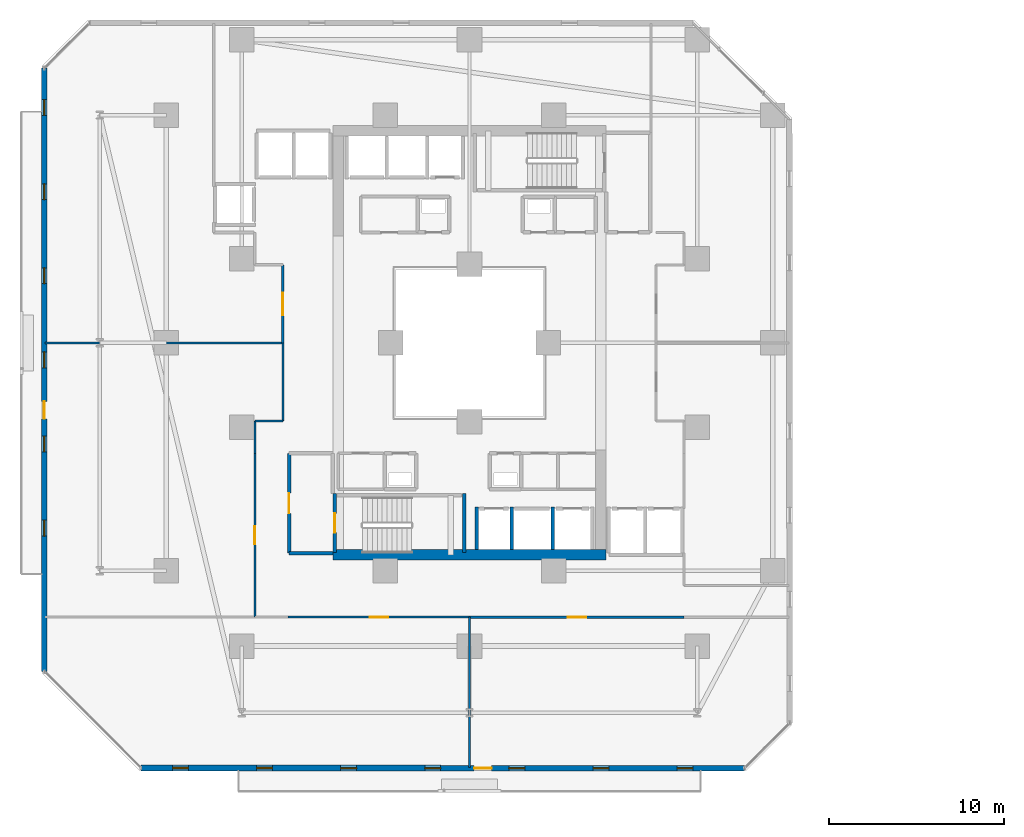
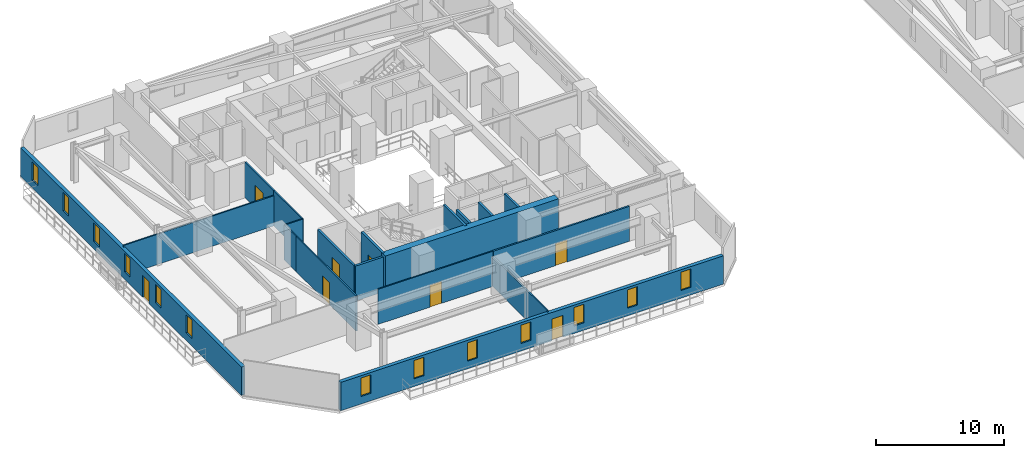
# One storey, part 18 of 33: 19 walls, 13 windows, 8 doors, 21 openings.
"""IFC4 building model written with IfcOpenShell, lengths in metres."""

from ifc_helpers import new_model, si_unit, direction, frame, frame_2d, origin, place, context, subcontext, project, spatial, rectangle, extrude, material, layer, layer_set, type_object, element, fill, save


model = new_model("IFC4")

# Units and contexts
model_context = context("Model", 3, precision=1e-05, world=origin(), true_north=direction((0.0, 1.0)))
body_context = subcontext(model_context, "Body", "Model", "MODEL_VIEW")
ifc_project = project(units=[si_unit("LENGTHUNIT", "METRE"), si_unit("AREAUNIT", "SQUARE_METRE"), si_unit("VOLUMEUNIT", "CUBIC_METRE"), si_unit("PLANEANGLEUNIT", "RADIAN"), si_unit("MASSUNIT", "GRAM", prefix="KILO")], contexts=[model_context])

# Site, building, storey
site_placement = place(None, origin())
site = spatial("IfcSite", under=ifc_project, at=site_placement, CompositionType="ELEMENT")
building_placement = place(site_placement, origin())
building = spatial("IfcBuilding", under=site, at=building_placement, Name="Thornwick Lancets Civic Towers", CompositionType="ELEMENT")
storey_placement = place(building_placement, frame((0.0, 0.0, 35.10009765625)))
storey = spatial("IfcBuildingStorey", under=building, at=storey_placement, Name="L08", CompositionType="ELEMENT", Elevation=35.10009765625)

# Walls
ifc_material_1 = material(Name="Concrete blockwork C40/50", Category="masonry")
ifc_layer_1 = layer(ifc_material_1, 0.199951171875, Name="Concrete blockwork C40/50")
ifc_layer_set_1 = layer_set([ifc_layer_1], Name="Concrete blockwork C40/50")
wall_type_1 = type_object("IfcWallType", Name="WALL_COMP_200", PredefinedType="STANDARD", material=ifc_layer_set_1)
for number, where, z_axis, x_axis, name in (
    (1, (27.89990234375, 15.2119140625, 0.0), (0.0, 0.0, 1.0), (0.0, 1.0, 0.0), "L08 Hoistway Shaft Wall FL-A1 E"),
    (2, (25.89990234375, 15.2119140625, 0.0), (0.0, 0.0, 1.0), (0.0, 1.0, 0.0), "L08 Hoistway Shaft Wall FL-A1 W"),
    (3, (30.25, 15.2119140625, 0.0), (0.0, 0.0, 1.0), (0.0, 1.0, 0.0), "L08 Hoistway Shaft Wall PL-AH1 E"),
):
    element("IfcWall", number, at=place(storey_placement, frame(where, z_axis=z_axis, x_axis=x_axis)), inside=storey, type_object=wall_type_1, Name=name, PredefinedType="STANDARD", context=body_context, shape_type="SweptSolid", body=[
        extrude(rectangle(XDim=2.43603515625, YDim=0.199951171875, at=frame_2d((1.218017578125, 0.0))), origin(), (0.0, 0.0, 1.0), 3.33984375),
    ])
wall_1_placement = place(storey_placement, frame((15.199951171875, 15.0, 0.0), z_axis=(0.0, 0.0, 1.0), x_axis=(1.0, 0.0, 0.0)))
element("IfcWall", 4, at=wall_1_placement, inside=storey, type_object=wall_type_1, Name="L08 Partition L08-A-FFLOB1 E1", PredefinedType="STANDARD", context=body_context, shape_type="SweptSolid", body=[
    extrude(rectangle(XDim=2.5, YDim=0.199951171875, at=frame_2d((1.25, 0.0))), origin(), (0.0, 0.0, 1.0), 3.33984375),
])

# Wall, opening, door
wall_2_placement = place(storey_placement, frame((15.199951171875, 20.699951171875, 0.0), z_axis=(0.0, 0.0, 1.0), x_axis=(0.0, -1.0, 0.0)))
wall_2 = element("IfcWall", 5, at=wall_2_placement, inside=storey, type_object=wall_type_1, Name="L08 Partition L08-A-FFLOB1 E4", PredefinedType="STANDARD", context=body_context, shape_type="SweptSolid", body=[
    extrude(rectangle(XDim=5.699951171875, YDim=0.199951171875, at=frame_2d((2.85009765625, 0.0))), origin(), (0.0, 0.0, 1.0), 3.33984375),
])
opening_1_placement = place(wall_2_placement, frame((2.27490234375, 0.0, 0.0)))
opening_1 = element("IfcOpeningElement", 6, at=opening_1_placement, cuts=wall_2, Name="Opening D-L08-0401", PredefinedType="OPENING", context=body_context, shape_type="SweptSolid", body=[
    extrude(rectangle(XDim=1.14990234375, YDim=2.10009765625, at=frame_2d((0.574951171875, 1.050048828125))), frame((0.0, 0.10986328125, 0.0), z_axis=(0.0, -1.0, 0.0), x_axis=(1.0, 0.0, 0.0)), (0.0, 0.0, 1.0), 0.219970703125),
])
ifc_material_2 = material(Name="Glazed fire-resisting steel", Category="steel")
door_type_1 = type_object("IfcDoorType", Name="DOOR_LOBBY_FD60", OperationType="NOTDEFINED", PredefinedType="DOOR", material=ifc_material_2)
door_1_placement = place(opening_1_placement, origin())
door_1 = element("IfcDoor", 7, at=door_1_placement, inside=storey, type_object=door_type_1, Name="L08 South Firefighting Lobby 1 Door", OperationType="SINGLE_SWING_RIGHT", OverallHeight=2.10009765625, OverallWidth=1.14990234375, PredefinedType="DOOR", context=body_context, shape_type="SweptSolid", body=[
    extrude(rectangle(XDim=1.14990234375, YDim=2.10009765625, at=frame_2d((0.574951171875, 1.050048828125))), frame((0.0, 0.02490234375, 0.0), z_axis=(0.0, -1.0, 0.0), x_axis=(1.0, 0.0, 0.0)), (0.0, 0.0, 1.0), 0.050048828125),
])
fill(opening_1, door_1)

# Wall
ifc_material_3 = material(Name="Concrete C60/75", Category="concrete")
ifc_layer_2 = layer(ifc_material_3, 0.60009765625, Name="Concrete C60/75")
ifc_layer_set_2 = layer_set([ifc_layer_2], Name="Concrete C60/75")
wall_type_2 = type_object("IfcWallType", Name="WALL_CORE_600", PredefinedType="SHEAR", material=ifc_layer_set_2)
wall_3_placement = place(storey_placement, frame((17.699951171875, 14.89990234375, 0.0), z_axis=(0.0, 0.0, 1.0), x_axis=(1.0, 0.0, 0.0)))
element("IfcWall", 8, at=wall_3_placement, inside=storey, type_object=wall_type_2, Name="L08 Split Core A1 Shear Wall S", PredefinedType="SHEAR", context=body_context, shape_type="SweptSolid", body=[
    extrude(rectangle(XDim=15.60009765625, YDim=0.60009765625, at=frame_2d((7.800048828125, 0.0))), origin(), (0.0, 0.0, 1.0), 3.599853515625),
])

# Wall, openings, door, windows
ifc_material_4 = material(Name="Insulated buff terracotta rainscreen on concrete C40/50", Category="masonry")
ifc_layer_3 = layer(ifc_material_4, 0.320068359375, Name="Insulated buff terracotta rainscreen on concrete C40/50")
ifc_layer_set_3 = layer_set([ifc_layer_3], Name="Insulated buff terracotta rainscreen on concrete C40/50")
wall_type_3 = type_object("IfcWallType", Name="WALL_EXT_TERRA_320", PredefinedType="STANDARD", material=ifc_layer_set_3)
wall_4_placement = place(storey_placement, frame((6.752197265625, 2.74462890625, 0.0), z_axis=(0.0, 0.0, 1.0), x_axis=(0.999999961759, -0.000276554545, 0.0)))
wall_4 = element("IfcWall", 9, at=wall_4_placement, inside=storey, type_object=wall_type_3, Name="L08 Tower A Terracotta Facade Wall E0", PredefinedType="STANDARD", context=body_context, shape_type="SweptSolid", body=[
    extrude(rectangle(XDim=34.428955078125, YDim=0.320068359375, at=frame_2d((17.21435546875, 0.0))), origin(), (0.0, 0.0, 1.0), 2.699951171875),
])
opening_2_placement = place(wall_4_placement, frame((19.014404296875, 0.0, 0.0)))
opening_2 = element("IfcOpeningElement", 10, at=opening_2_placement, cuts=wall_4, Name="Opening D-BL-L08-AS", PredefinedType="OPENING", context=body_context, shape_type="SweptSolid", body=[
    extrude(rectangle(XDim=1.0, YDim=2.080078125, at=frame_2d((0.5, 1.0400390625))), frame((0.0, 0.169921875, 0.0), z_axis=(0.0, -1.0, 0.0), x_axis=(1.0, 0.0, 0.0)), (0.0, 0.0, 1.0), 0.340087890625),
])
opening_3_placement = place(wall_4_placement, frame((1.800048828125, 0.0, 0.719970703125)))
opening_3 = element("IfcOpeningElement", 11, at=opening_3_placement, cuts=wall_4, Name="Opening WL-01", PredefinedType="OPENING", context=body_context, shape_type="SweptSolid", body=[
    extrude(rectangle(XDim=0.89990234375, YDim=1.75, at=frame_2d((0.449951171875, 0.875))), frame((0.0, 0.169921875, 0.0), z_axis=(0.0, -1.0, 0.0), x_axis=(1.0, 0.0, 0.0)), (0.0, 0.0, 1.0), 0.340087890625),
])
opening_4_placement = place(wall_4_placement, frame((6.60009765625, 0.0, 0.719970703125)))
opening_4 = element("IfcOpeningElement", 12, at=opening_4_placement, cuts=wall_4, Name="Opening WL-01", PredefinedType="OPENING", context=body_context, shape_type="SweptSolid", body=[
    extrude(rectangle(XDim=0.89990234375, YDim=1.75, at=frame_2d((0.449951171875, 0.875))), frame((0.0, 0.169921875, 0.0), z_axis=(0.0, -1.0, 0.0), x_axis=(1.0, 0.0, 0.0)), (0.0, 0.0, 1.0), 0.340087890625),
])
opening_5_placement = place(wall_4_placement, frame((11.39990234375, 0.0, 0.719970703125)))
opening_5 = element("IfcOpeningElement", 13, at=opening_5_placement, cuts=wall_4, Name="Opening WL-01", PredefinedType="OPENING", context=body_context, shape_type="SweptSolid", body=[
    extrude(rectangle(XDim=0.89990234375, YDim=1.75, at=frame_2d((0.449951171875, 0.875))), frame((0.0, 0.169921875, 0.0), z_axis=(0.0, -1.0, 0.0), x_axis=(1.0, 0.0, 0.0)), (0.0, 0.0, 1.0), 0.340087890625),
])
opening_6_placement = place(wall_4_placement, frame((16.199951171875, 0.0, 0.719970703125)))
opening_6 = element("IfcOpeningElement", 14, at=opening_6_placement, cuts=wall_4, Name="Opening WL-01", PredefinedType="OPENING", context=body_context, shape_type="SweptSolid", body=[
    extrude(rectangle(XDim=0.89990234375, YDim=1.75, at=frame_2d((0.449951171875, 0.875))), frame((0.0, 0.169921875, 0.0), z_axis=(0.0, -1.0, 0.0), x_axis=(1.0, 0.0, 0.0)), (0.0, 0.0, 1.0), 0.340087890625),
])
opening_7_placement = place(wall_4_placement, frame((21.0, 0.0, 0.719970703125)))
opening_7 = element("IfcOpeningElement", 15, at=opening_7_placement, cuts=wall_4, Name="Opening WL-01", PredefinedType="OPENING", context=body_context, shape_type="SweptSolid", body=[
    extrude(rectangle(XDim=0.89990234375, YDim=1.75, at=frame_2d((0.449951171875, 0.875))), frame((0.0, 0.169921875, 0.0), z_axis=(0.0, -1.0, 0.0), x_axis=(1.0, 0.0, 0.0)), (0.0, 0.0, 1.0), 0.340087890625),
])
opening_8_placement = place(wall_4_placement, frame((25.800048828125, 0.0, 0.719970703125)))
opening_8 = element("IfcOpeningElement", 16, at=opening_8_placement, cuts=wall_4, Name="Opening WL-01", PredefinedType="OPENING", context=body_context, shape_type="SweptSolid", body=[
    extrude(rectangle(XDim=0.89990234375, YDim=1.75, at=frame_2d((0.449951171875, 0.875))), frame((0.0, 0.169921875, 0.0), z_axis=(0.0, -1.0, 0.0), x_axis=(1.0, 0.0, 0.0)), (0.0, 0.0, 1.0), 0.340087890625),
])
opening_9_placement = place(wall_4_placement, frame((30.60009765625, 0.0, 0.719970703125)))
opening_9 = element("IfcOpeningElement", 17, at=opening_9_placement, cuts=wall_4, Name="Opening WL-01", PredefinedType="OPENING", context=body_context, shape_type="SweptSolid", body=[
    extrude(rectangle(XDim=0.89990234375, YDim=1.75, at=frame_2d((0.449951171875, 0.875))), frame((0.0, 0.169921875, 0.0), z_axis=(0.0, -1.0, 0.0), x_axis=(1.0, 0.0, 0.0)), (0.0, 0.0, 1.0), 0.340087890625),
])
ifc_material_5 = material(Name="Thermally broken glazed loggia doorset")
door_type_2 = type_object("IfcDoorType", Name="DOOR_BALC_1000", OperationType="NOTDEFINED", PredefinedType="DOOR", material=ifc_material_5)
door_2_placement = place(opening_2_placement, origin())
door_2 = element("IfcDoor", 18, at=door_2_placement, inside=storey, type_object=door_type_2, Name="L08 Tower A Loggia Balcony Door S", OperationType="SINGLE_SWING_LEFT", OverallHeight=2.080078125, OverallWidth=1.0, PredefinedType="DOOR", context=body_context, shape_type="SweptSolid", body=[
    extrude(rectangle(XDim=1.0, YDim=2.080078125, at=frame_2d((0.5, 1.0400390625))), frame((0.0, 0.02490234375, 0.0), z_axis=(0.0, -1.0, 0.0), x_axis=(1.0, 0.0, 0.0)), (0.0, 0.0, 1.0), 0.050048828125),
])
fill(opening_2, door_2)
ifc_material_6 = material(Name="Clear low-e double glazing in bronze frame", Category="glass")
window_type = type_object("IfcWindowType", Name="WIN_LANCET_900", PartitioningType="SINGLE_PANEL", PredefinedType="WINDOW", material=ifc_material_6)
window_1_placement = place(opening_3_placement, origin())
window_1 = element("IfcWindow", 19, at=window_1_placement, inside=storey, type_object=window_type, Name="L08 Tower A Staggered Lancet Window E0-1", OverallHeight=1.75, OverallWidth=0.89990234375, PartitioningType="SINGLE_PANEL", PredefinedType="WINDOW", context=body_context, shape_type="SweptSolid", body=[
    extrude(rectangle(XDim=0.89990234375, YDim=1.75, at=frame_2d((0.449951171875, 0.875))), frame((0.0, 0.030029296875, 0.0), z_axis=(0.0, -1.0, 0.0), x_axis=(1.0, 0.0, 0.0)), (0.0, 0.0, 1.0), 0.06005859375),
])
fill(opening_3, window_1)
window_2_placement = place(opening_4_placement, origin())
window_2 = element("IfcWindow", 20, at=window_2_placement, inside=storey, type_object=window_type, Name="L08 Tower A Staggered Lancet Window E0-2", OverallHeight=1.75, OverallWidth=0.89990234375, PartitioningType="SINGLE_PANEL", PredefinedType="WINDOW", context=body_context, shape_type="SweptSolid", body=[
    extrude(rectangle(XDim=0.89990234375, YDim=1.75, at=frame_2d((0.449951171875, 0.875))), frame((0.0, 0.030029296875, 0.0), z_axis=(0.0, -1.0, 0.0), x_axis=(1.0, 0.0, 0.0)), (0.0, 0.0, 1.0), 0.06005859375),
])
fill(opening_4, window_2)
window_3_placement = place(opening_5_placement, origin())
window_3 = element("IfcWindow", 21, at=window_3_placement, inside=storey, type_object=window_type, Name="L08 Tower A Staggered Lancet Window E0-3", OverallHeight=1.75, OverallWidth=0.89990234375, PartitioningType="SINGLE_PANEL", PredefinedType="WINDOW", context=body_context, shape_type="SweptSolid", body=[
    extrude(rectangle(XDim=0.89990234375, YDim=1.75, at=frame_2d((0.449951171875, 0.875))), frame((0.0, 0.030029296875, 0.0), z_axis=(0.0, -1.0, 0.0), x_axis=(1.0, 0.0, 0.0)), (0.0, 0.0, 1.0), 0.06005859375),
])
fill(opening_5, window_3)
window_4_placement = place(opening_6_placement, origin())
window_4 = element("IfcWindow", 22, at=window_4_placement, inside=storey, type_object=window_type, Name="L08 Tower A Staggered Lancet Window E0-4", OverallHeight=1.75, OverallWidth=0.89990234375, PartitioningType="SINGLE_PANEL", PredefinedType="WINDOW", context=body_context, shape_type="SweptSolid", body=[
    extrude(rectangle(XDim=0.89990234375, YDim=1.75, at=frame_2d((0.449951171875, 0.875))), frame((0.0, 0.030029296875, 0.0), z_axis=(0.0, -1.0, 0.0), x_axis=(1.0, 0.0, 0.0)), (0.0, 0.0, 1.0), 0.06005859375),
])
fill(opening_6, window_4)
window_5_placement = place(opening_7_placement, origin())
window_5 = element("IfcWindow", 23, at=window_5_placement, inside=storey, type_object=window_type, Name="L08 Tower A Staggered Lancet Window E0-5", OverallHeight=1.75, OverallWidth=0.89990234375, PartitioningType="SINGLE_PANEL", PredefinedType="WINDOW", context=body_context, shape_type="SweptSolid", body=[
    extrude(rectangle(XDim=0.89990234375, YDim=1.75, at=frame_2d((0.449951171875, 0.875))), frame((0.0, 0.030029296875, 0.0), z_axis=(0.0, -1.0, 0.0), x_axis=(1.0, 0.0, 0.0)), (0.0, 0.0, 1.0), 0.06005859375),
])
fill(opening_7, window_5)
window_6_placement = place(opening_8_placement, origin())
window_6 = element("IfcWindow", 24, at=window_6_placement, inside=storey, type_object=window_type, Name="L08 Tower A Staggered Lancet Window E0-6", OverallHeight=1.75, OverallWidth=0.89990234375, PartitioningType="SINGLE_PANEL", PredefinedType="WINDOW", context=body_context, shape_type="SweptSolid", body=[
    extrude(rectangle(XDim=0.89990234375, YDim=1.75, at=frame_2d((0.449951171875, 0.875))), frame((0.0, 0.030029296875, 0.0), z_axis=(0.0, -1.0, 0.0), x_axis=(1.0, 0.0, 0.0)), (0.0, 0.0, 1.0), 0.06005859375),
])
fill(opening_8, window_6)
window_7_placement = place(opening_9_placement, origin())
window_7 = element("IfcWindow", 25, at=window_7_placement, inside=storey, type_object=window_type, Name="L08 Tower A Staggered Lancet Window E0-7", OverallHeight=1.75, OverallWidth=0.89990234375, PartitioningType="SINGLE_PANEL", PredefinedType="WINDOW", context=body_context, shape_type="SweptSolid", body=[
    extrude(rectangle(XDim=0.89990234375, YDim=1.75, at=frame_2d((0.449951171875, 0.875))), frame((0.0, 0.030029296875, 0.0), z_axis=(0.0, -1.0, 0.0), x_axis=(1.0, 0.0, 0.0)), (0.0, 0.0, 1.0), 0.06005859375),
])
fill(opening_9, window_7)

wall_5_placement = place(storey_placement, frame((1.235107421875, 42.68115234375, 0.0), z_axis=(0.0, 0.0, 1.0), x_axis=(0.000276554545, -0.999999961759, 0.0)))
wall_5 = element("IfcWall", 26, at=wall_5_placement, inside=storey, type_object=wall_type_3, Name="L08 Tower A Terracotta Facade Wall E6", PredefinedType="STANDARD", context=body_context, shape_type="SweptSolid", body=[
    extrude(rectangle(XDim=34.428955078125, YDim=0.320068359375, at=frame_2d((17.21435546875, 0.0))), origin(), (0.0, 0.0, 1.0), 2.699951171875),
])
opening_10_placement = place(wall_5_placement, frame((19.014404296875, 0.0, 0.0)))
opening_10 = element("IfcOpeningElement", 27, at=opening_10_placement, cuts=wall_5, Name="Opening D-BL-L08-AW", PredefinedType="OPENING", context=body_context, shape_type="SweptSolid", body=[
    extrude(rectangle(XDim=1.0, YDim=2.080078125, at=frame_2d((0.5, 1.0400390625))), frame((0.0, 0.169921875, 0.0), z_axis=(0.0, -1.0, 0.0), x_axis=(1.0, 0.0, 0.0)), (0.0, 0.0, 1.0), 0.340087890625),
])
opening_11_placement = place(wall_5_placement, frame((1.800048828125, 0.0, 0.719970703125)))
opening_11 = element("IfcOpeningElement", 28, at=opening_11_placement, cuts=wall_5, Name="Opening WL-01", PredefinedType="OPENING", context=body_context, shape_type="SweptSolid", body=[
    extrude(rectangle(XDim=0.89990234375, YDim=1.75, at=frame_2d((0.449951171875, 0.875))), frame((0.0, 0.169921875, 0.0), z_axis=(0.0, -1.0, 0.0), x_axis=(1.0, 0.0, 0.0)), (0.0, 0.0, 1.0), 0.340087890625),
])
opening_12_placement = place(wall_5_placement, frame((6.60009765625, 0.0, 0.719970703125)))
opening_12 = element("IfcOpeningElement", 29, at=opening_12_placement, cuts=wall_5, Name="Opening WL-01", PredefinedType="OPENING", context=body_context, shape_type="SweptSolid", body=[
    extrude(rectangle(XDim=0.89990234375, YDim=1.75, at=frame_2d((0.449951171875, 0.875))), frame((0.0, 0.169921875, 0.0), z_axis=(0.0, -1.0, 0.0), x_axis=(1.0, 0.0, 0.0)), (0.0, 0.0, 1.0), 0.340087890625),
])
opening_13_placement = place(wall_5_placement, frame((11.39990234375, 0.0, 0.719970703125)))
opening_13 = element("IfcOpeningElement", 30, at=opening_13_placement, cuts=wall_5, Name="Opening WL-01", PredefinedType="OPENING", context=body_context, shape_type="SweptSolid", body=[
    extrude(rectangle(XDim=0.89990234375, YDim=1.75, at=frame_2d((0.449951171875, 0.875))), frame((0.0, 0.169921875, 0.0), z_axis=(0.0, -1.0, 0.0), x_axis=(1.0, 0.0, 0.0)), (0.0, 0.0, 1.0), 0.340087890625),
])
opening_14_placement = place(wall_5_placement, frame((16.199951171875, 0.0, 0.719970703125)))
opening_14 = element("IfcOpeningElement", 31, at=opening_14_placement, cuts=wall_5, Name="Opening WL-01", PredefinedType="OPENING", context=body_context, shape_type="SweptSolid", body=[
    extrude(rectangle(XDim=0.89990234375, YDim=1.75, at=frame_2d((0.449951171875, 0.875))), frame((0.0, 0.169921875, 0.0), z_axis=(0.0, -1.0, 0.0), x_axis=(1.0, 0.0, 0.0)), (0.0, 0.0, 1.0), 0.340087890625),
])
opening_15_placement = place(wall_5_placement, frame((21.0, 0.0, 0.719970703125)))
opening_15 = element("IfcOpeningElement", 32, at=opening_15_placement, cuts=wall_5, Name="Opening WL-01", PredefinedType="OPENING", context=body_context, shape_type="SweptSolid", body=[
    extrude(rectangle(XDim=0.89990234375, YDim=1.75, at=frame_2d((0.449951171875, 0.875))), frame((0.0, 0.169921875, 0.0), z_axis=(0.0, -1.0, 0.0), x_axis=(1.0, 0.0, 0.0)), (0.0, 0.0, 1.0), 0.340087890625),
])
opening_16_placement = place(wall_5_placement, frame((25.800048828125, 0.0, 0.719970703125)))
opening_16 = element("IfcOpeningElement", 33, at=opening_16_placement, cuts=wall_5, Name="Opening WL-01", PredefinedType="OPENING", context=body_context, shape_type="SweptSolid", body=[
    extrude(rectangle(XDim=0.89990234375, YDim=1.75, at=frame_2d((0.449951171875, 0.875))), frame((0.0, 0.169921875, 0.0), z_axis=(0.0, -1.0, 0.0), x_axis=(1.0, 0.0, 0.0)), (0.0, 0.0, 1.0), 0.340087890625),
])
door_3_placement = place(opening_10_placement, origin())
door_3 = element("IfcDoor", 34, at=door_3_placement, inside=storey, type_object=door_type_2, Name="L08 Tower A Loggia Balcony Door W", OperationType="SINGLE_SWING_LEFT", OverallHeight=2.080078125, OverallWidth=1.0, PredefinedType="DOOR", context=body_context, shape_type="SweptSolid", body=[
    extrude(rectangle(XDim=1.0, YDim=2.080078125, at=frame_2d((0.5, 1.0400390625))), frame((0.0, 0.02490234375, 0.0), z_axis=(0.0, -1.0, 0.0), x_axis=(1.0, 0.0, 0.0)), (0.0, 0.0, 1.0), 0.050048828125),
])
fill(opening_10, door_3)
window_8_placement = place(opening_11_placement, origin())
window_8 = element("IfcWindow", 35, at=window_8_placement, inside=storey, type_object=window_type, Name="L08 Tower A Staggered Lancet Window E6-1", OverallHeight=1.75, OverallWidth=0.89990234375, PartitioningType="SINGLE_PANEL", PredefinedType="WINDOW", context=body_context, shape_type="SweptSolid", body=[
    extrude(rectangle(XDim=0.89990234375, YDim=1.75, at=frame_2d((0.449951171875, 0.875))), frame((0.0, 0.030029296875, 0.0), z_axis=(0.0, -1.0, 0.0), x_axis=(1.0, 0.0, 0.0)), (0.0, 0.0, 1.0), 0.06005859375),
])
fill(opening_11, window_8)
window_9_placement = place(opening_12_placement, origin())
window_9 = element("IfcWindow", 36, at=window_9_placement, inside=storey, type_object=window_type, Name="L08 Tower A Staggered Lancet Window E6-2", OverallHeight=1.75, OverallWidth=0.89990234375, PartitioningType="SINGLE_PANEL", PredefinedType="WINDOW", context=body_context, shape_type="SweptSolid", body=[
    extrude(rectangle(XDim=0.89990234375, YDim=1.75, at=frame_2d((0.449951171875, 0.875))), frame((0.0, 0.030029296875, 0.0), z_axis=(0.0, -1.0, 0.0), x_axis=(1.0, 0.0, 0.0)), (0.0, 0.0, 1.0), 0.06005859375),
])
fill(opening_12, window_9)
window_10_placement = place(opening_13_placement, origin())
window_10 = element("IfcWindow", 37, at=window_10_placement, inside=storey, type_object=window_type, Name="L08 Tower A Staggered Lancet Window E6-3", OverallHeight=1.75, OverallWidth=0.89990234375, PartitioningType="SINGLE_PANEL", PredefinedType="WINDOW", context=body_context, shape_type="SweptSolid", body=[
    extrude(rectangle(XDim=0.89990234375, YDim=1.75, at=frame_2d((0.449951171875, 0.875))), frame((0.0, 0.030029296875, 0.0), z_axis=(0.0, -1.0, 0.0), x_axis=(1.0, 0.0, 0.0)), (0.0, 0.0, 1.0), 0.06005859375),
])
fill(opening_13, window_10)
window_11_placement = place(opening_14_placement, origin())
window_11 = element("IfcWindow", 38, at=window_11_placement, inside=storey, type_object=window_type, Name="L08 Tower A Staggered Lancet Window E6-4", OverallHeight=1.75, OverallWidth=0.89990234375, PartitioningType="SINGLE_PANEL", PredefinedType="WINDOW", context=body_context, shape_type="SweptSolid", body=[
    extrude(rectangle(XDim=0.89990234375, YDim=1.75, at=frame_2d((0.449951171875, 0.875))), frame((0.0, 0.030029296875, 0.0), z_axis=(0.0, -1.0, 0.0), x_axis=(1.0, 0.0, 0.0)), (0.0, 0.0, 1.0), 0.06005859375),
])
fill(opening_14, window_11)
window_12_placement = place(opening_15_placement, origin())
window_12 = element("IfcWindow", 39, at=window_12_placement, inside=storey, type_object=window_type, Name="L08 Tower A Staggered Lancet Window E6-5", OverallHeight=1.75, OverallWidth=0.89990234375, PartitioningType="SINGLE_PANEL", PredefinedType="WINDOW", context=body_context, shape_type="SweptSolid", body=[
    extrude(rectangle(XDim=0.89990234375, YDim=1.75, at=frame_2d((0.449951171875, 0.875))), frame((0.0, 0.030029296875, 0.0), z_axis=(0.0, -1.0, 0.0), x_axis=(1.0, 0.0, 0.0)), (0.0, 0.0, 1.0), 0.06005859375),
])
fill(opening_15, window_12)
window_13_placement = place(opening_16_placement, origin())
window_13 = element("IfcWindow", 40, at=window_13_placement, inside=storey, type_object=window_type, Name="L08 Tower A Staggered Lancet Window E6-6", OverallHeight=1.75, OverallWidth=0.89990234375, PartitioningType="SINGLE_PANEL", PredefinedType="WINDOW", context=body_context, shape_type="SweptSolid", body=[
    extrude(rectangle(XDim=0.89990234375, YDim=1.75, at=frame_2d((0.449951171875, 0.875))), frame((0.0, 0.030029296875, 0.0), z_axis=(0.0, -1.0, 0.0), x_axis=(1.0, 0.0, 0.0)), (0.0, 0.0, 1.0), 0.06005859375),
])
fill(opening_16, window_13)

# Walls
ifc_material_7 = material(Name="Acoustic gypsum board partition")
ifc_layer_4 = layer(ifc_material_7, 0.1201171875, Name="Acoustic gypsum board partition")
ifc_layer_set_4 = layer_set([ifc_layer_4], Name="Acoustic gypsum board partition")
wall_type_4 = type_object("IfcWallType", Name="WALL_PART_120", PredefinedType="PARTITIONING", material=ifc_layer_set_4)
wall_6_placement = place(storey_placement, frame((14.85009765625, 22.550048828125, 0.0), z_axis=(0.0, 0.0, 1.0), x_axis=(-1.0, 0.0, 0.0)))
element("IfcWall", 41, at=wall_6_placement, inside=storey, type_object=wall_type_4, Name="L08 Partition L08-A-W1 E1", PredefinedType="PARTITIONING", context=body_context, shape_type="SweptSolid", body=[
    extrude(rectangle(XDim=1.60009765625, YDim=0.1201171875, at=frame_2d((0.800048828125, 0.0))), origin(), (0.0, 0.0, 1.0), 3.33984375),
])
wall_7_placement = place(storey_placement, frame((13.25, 22.550048828125, 0.0), z_axis=(0.0, 0.0, 1.0), x_axis=(0.0, -1.0, 0.0)))
element("IfcWall", 42, at=wall_7_placement, inside=storey, type_object=wall_type_4, Name="L08 Partition L08-A-W1 E2", PredefinedType="PARTITIONING", context=body_context, shape_type="SweptSolid", body=[
    extrude(rectangle(XDim=1.85009765625, YDim=0.1201171875, at=frame_2d((0.925048828125, 0.0))), origin(), (0.0, 0.0, 1.0), 3.33984375),
])

# Wall, opening, door
wall_8_placement = place(storey_placement, frame((13.25, 20.699951171875, 0.0), z_axis=(0.0, 0.0, 1.0), x_axis=(0.0, -1.0, 0.0)))
wall_8 = element("IfcWall", 43, at=wall_8_placement, inside=storey, type_object=wall_type_4, Name="L08 Partition L08-A-W1 E3", PredefinedType="PARTITIONING", context=body_context, shape_type="SweptSolid", body=[
    extrude(rectangle(XDim=9.349853515625, YDim=0.1201171875, at=frame_2d((4.6748046875, 0.0))), origin(), (0.0, 0.0, 1.0), 3.33984375),
])
opening_17_placement = place(wall_8_placement, frame((4.14990234375, 0.0, 0.0)))
opening_17 = element("IfcOpeningElement", 44, at=opening_17_placement, cuts=wall_8, Name="Opening D-L08-0423", PredefinedType="OPENING", context=body_context, shape_type="SweptSolid", body=[
    extrude(rectangle(XDim=1.050048828125, YDim=2.10009765625, at=frame_2d((0.52490234375, 1.050048828125))), frame((0.0, 0.070068359375, 0.0), z_axis=(0.0, -1.0, 0.0), x_axis=(1.0, 0.0, 0.0)), (0.0, 0.0, 1.0), 0.14013671875),
])
ifc_material_8 = material(Name="Glazed European oak executive doorset")
door_type_3 = type_object("IfcDoorType", Name="DOOR_OFFICE_1050", OperationType="NOTDEFINED", PredefinedType="DOOR", material=ifc_material_8)
door_4_placement = place(opening_17_placement, origin())
door_4 = element("IfcDoor", 45, at=door_4_placement, inside=storey, type_object=door_type_3, Name="L08 Tower A Ministry Directorate Office W1 Door", OperationType="SINGLE_SWING_RIGHT", OverallHeight=2.10009765625, OverallWidth=1.050048828125, PredefinedType="DOOR", context=body_context, shape_type="SweptSolid", body=[
    extrude(rectangle(XDim=1.050048828125, YDim=2.10009765625, at=frame_2d((0.52490234375, 1.050048828125))), frame((0.0, 0.02490234375, 0.0), z_axis=(0.0, -1.0, 0.0), x_axis=(1.0, 0.0, 0.0)), (0.0, 0.0, 1.0), 0.050048828125),
])
fill(opening_17, door_4)

# Walls
wall_9_placement = place(storey_placement, frame((1.280029296875, 27.0, 0.0), z_axis=(0.0, 0.0, 1.0), x_axis=(1.0, 0.0, 0.0)))
element("IfcWall", 46, at=wall_9_placement, inside=storey, type_object=wall_type_4, Name="L08 Partition L08-A-W1 E6", PredefinedType="PARTITIONING", context=body_context, shape_type="SweptSolid", body=[
    extrude(rectangle(XDim=13.570068359375, YDim=0.1201171875, at=frame_2d((6.78515625, 0.0))), origin(), (0.0, 0.0, 1.0), 2.877685546875),
])
wall_10_placement = place(storey_placement, frame((14.85009765625, 27.0, 0.0), z_axis=(0.0, 0.0, 1.0), x_axis=(0.0, -1.0, 0.0)))
element("IfcWall", 47, at=wall_10_placement, inside=storey, type_object=wall_type_4, Name="L08 Partition L08-A-W1 E7", PredefinedType="PARTITIONING", context=body_context, shape_type="SweptSolid", body=[
    extrude(rectangle(XDim=4.449951171875, YDim=0.1201171875, at=frame_2d((2.22509765625, 0.0))), origin(), (0.0, 0.0, 1.0), 3.33984375),
])

# Wall, opening, door
wall_11_placement = place(storey_placement, frame((15.14990234375, 11.35009765625, 0.0), z_axis=(0.0, 0.0, 1.0), x_axis=(1.0, 0.0, 0.0)))
wall_11 = element("IfcWall", 48, at=wall_11_placement, inside=storey, type_object=wall_type_4, Name="L08 Partition L08-A-S-OFF E6", PredefinedType="PARTITIONING", context=body_context, shape_type="SweptSolid", body=[
    extrude(rectangle(XDim=10.35009765625, YDim=0.1201171875, at=frame_2d((5.175048828125, 0.0))), origin(), (0.0, 0.0, 1.0), 3.33984375),
])
opening_18_placement = place(wall_11_placement, frame((4.64990234375, 0.0, 0.0)))
opening_18 = element("IfcOpeningElement", 49, at=opening_18_placement, cuts=wall_11, Name="Opening D-L08-0427", PredefinedType="OPENING", context=body_context, shape_type="SweptSolid", body=[
    extrude(rectangle(XDim=1.050048828125, YDim=2.10009765625, at=frame_2d((0.52490234375, 1.050048828125))), frame((0.0, 0.070068359375, 0.0), z_axis=(0.0, -1.0, 0.0), x_axis=(1.0, 0.0, 0.0)), (0.0, 0.0, 1.0), 0.14013671875),
])
door_5_placement = place(opening_18_placement, origin())
door_5 = element("IfcDoor", 50, at=door_5_placement, inside=storey, type_object=door_type_3, Name="L08 Tower A South Division Office Door", OperationType="SINGLE_SWING_RIGHT", OverallHeight=2.10009765625, OverallWidth=1.050048828125, PredefinedType="DOOR", context=body_context, shape_type="SweptSolid", body=[
    extrude(rectangle(XDim=1.050048828125, YDim=2.10009765625, at=frame_2d((0.52490234375, 1.050048828125))), frame((0.0, 0.02490234375, 0.0), z_axis=(0.0, -1.0, 0.0), x_axis=(1.0, 0.0, 0.0)), (0.0, 0.0, 1.0), 0.050048828125),
])
fill(opening_18, door_5)

# Wall
wall_12_placement = place(storey_placement, frame((25.5, 11.35009765625, 0.0), z_axis=(0.0, 0.0, 1.0), x_axis=(0.0, -1.0, 0.0)))
element("IfcWall", 51, at=wall_12_placement, inside=storey, type_object=wall_type_4, Name="L08 Partition L08-A-S-OFF E7", PredefinedType="PARTITIONING", context=body_context, shape_type="SweptSolid", body=[
    extrude(rectangle(XDim=8.570068359375, YDim=0.1201171875, at=frame_2d((4.28515625, 0.0))), origin(), (0.0, 0.0, 1.0), 2.877685546875),
])

# Wall, opening, door
ifc_material_9 = material(Name="Twin-stud acoustic gypsum board")
ifc_layer_5 = layer(ifc_material_9, 0.14990234375, Name="Twin-stud acoustic gypsum board")
ifc_layer_set_5 = layer_set([ifc_layer_5], Name="Twin-stud acoustic gypsum board")
wall_type_5 = type_object("IfcWallType", Name="WALL_PART_150", PredefinedType="PARTITIONING", material=ifc_layer_set_5)
wall_13_placement = place(storey_placement, frame((14.85009765625, 31.449951171875, 0.0), z_axis=(0.0, 0.0, 1.0), x_axis=(0.0, -1.0, 0.0)))
wall_13 = element("IfcWall", 52, at=wall_13_placement, inside=storey, type_object=wall_type_5, Name="L08 Partition L08-A-W2 E4", PredefinedType="PARTITIONING", context=body_context, shape_type="SweptSolid", body=[
    extrude(rectangle(XDim=4.449951171875, YDim=0.14990234375, at=frame_2d((2.22509765625, 0.0))), origin(), (0.0, 0.0, 1.0), 3.33984375),
])
opening_19_placement = place(wall_13_placement, frame((1.574951171875, 0.0, 0.0)))
opening_19 = element("IfcOpeningElement", 53, at=opening_19_placement, cuts=wall_13, Name="Opening D-L08-0424", PredefinedType="OPENING", context=body_context, shape_type="SweptSolid", body=[
    extrude(rectangle(XDim=1.300048828125, YDim=2.1201171875, at=frame_2d((0.64990234375, 1.06005859375))), frame((0.0, 0.0849609375, 0.0), z_axis=(0.0, -1.0, 0.0), x_axis=(1.0, 0.0, 0.0)), (0.0, 0.0, 1.0), 0.169921875),
])
ifc_material_10 = material(Name="Acoustic oak leaf-and-a-half doorset")
door_type_4 = type_object("IfcDoorType", Name="DOOR_MEET_1300", OperationType="DOUBLE_DOOR_SINGLE_SWING", PredefinedType="DOOR", material=ifc_material_10)
door_6_placement = place(opening_19_placement, origin())
door_6 = element("IfcDoor", 54, at=door_6_placement, inside=storey, type_object=door_type_4, Name="L08 Tower A Policy Briefing Room W2 Door", OperationType="DOUBLE_DOOR_SINGLE_SWING", OverallHeight=2.1201171875, OverallWidth=1.300048828125, PredefinedType="DOOR", context=body_context, shape_type="SweptSolid", body=[
    extrude(rectangle(XDim=1.300048828125, YDim=2.1201171875, at=frame_2d((0.64990234375, 1.06005859375))), frame((0.0, 0.02490234375, 0.0), z_axis=(0.0, -1.0, 0.0), x_axis=(1.0, 0.0, 0.0)), (0.0, 0.0, 1.0), 0.050048828125),
])
fill(opening_19, door_6)

wall_14_placement = place(storey_placement, frame((25.5, 11.35009765625, 0.0), z_axis=(0.0, 0.0, 1.0), x_axis=(1.0, 0.0, 0.0)))
wall_14 = element("IfcWall", 55, at=wall_14_placement, inside=storey, type_object=wall_type_5, Name="L08 Partition L08-A-S-ARCH E3", PredefinedType="PARTITIONING", context=body_context, shape_type="SweptSolid", body=[
    extrude(rectangle(XDim=12.25, YDim=0.14990234375, at=frame_2d((6.125, 0.0))), origin(), (0.0, 0.0, 1.0), 3.33984375),
])
opening_20_placement = place(wall_14_placement, frame((5.60009765625, 0.0, 0.0)))
opening_20 = element("IfcOpeningElement", 56, at=opening_20_placement, cuts=wall_14, Name="Opening D-L08-0428", PredefinedType="OPENING", context=body_context, shape_type="SweptSolid", body=[
    extrude(rectangle(XDim=1.050048828125, YDim=2.10009765625, at=frame_2d((0.52490234375, 1.050048828125))), frame((0.0, 0.0849609375, 0.0), z_axis=(0.0, -1.0, 0.0), x_axis=(1.0, 0.0, 0.0)), (0.0, 0.0, 1.0), 0.169921875),
])
door_7_placement = place(opening_20_placement, origin())
door_7 = element("IfcDoor", 57, at=door_7_placement, inside=storey, type_object=door_type_3, Name="L08 Tower A Registry and Records Archive Door", OperationType="SINGLE_SWING_LEFT", OverallHeight=2.10009765625, OverallWidth=1.050048828125, PredefinedType="DOOR", context=body_context, shape_type="SweptSolid", body=[
    extrude(rectangle(XDim=1.050048828125, YDim=2.10009765625, at=frame_2d((0.52490234375, 1.050048828125))), frame((0.0, 0.02490234375, 0.0), z_axis=(0.0, -1.0, 0.0), x_axis=(1.0, 0.0, 0.0)), (0.0, 0.0, 1.0), 0.050048828125),
])
fill(opening_20, door_7)

ifc_material_11 = material(Name="Concrete C40/50", Category="concrete")
ifc_layer_6 = layer(ifc_material_11, 0.199951171875, Name="Concrete C40/50")
ifc_layer_set_6 = layer_set([ifc_layer_6], Name="Concrete C40/50")
wall_type_6 = type_object("IfcWallType", Name="WALL_SHAFT_200", PredefinedType="SHEAR", material=ifc_layer_set_6)
wall_15_placement = place(storey_placement, frame((17.800048828125, 15.050048828125, 0.0), z_axis=(0.0, 0.0, 1.0), x_axis=(0.0, 1.0, 0.0)))
wall_15 = element("IfcWall", 58, at=wall_15_placement, inside=storey, type_object=wall_type_6, Name="L08 ST-A1 Fire Stair Core Wall NEAR", PredefinedType="SHEAR", context=body_context, shape_type="SweptSolid", body=[
    extrude(rectangle(XDim=3.349853515625, YDim=0.199951171875, at=frame_2d((1.6748046875, 0.0))), origin(), (0.0, 0.0, 1.0), 3.599853515625),
])
opening_21_placement = place(wall_15_placement, frame((1.125, 0.0, 0.0)))
opening_21 = element("IfcOpeningElement", 59, at=opening_21_placement, cuts=wall_15, Name="Opening D-ST-A1-L08", PredefinedType="OPENING", context=body_context, shape_type="SweptSolid", body=[
    extrude(rectangle(XDim=1.10009765625, YDim=2.10009765625, at=frame_2d((0.550048828125, 1.050048828125))), frame((0.0, 0.10986328125, 0.0), z_axis=(0.0, -1.0, 0.0), x_axis=(1.0, 0.0, 0.0)), (0.0, 0.0, 1.0), 0.219970703125),
])
ifc_material_12 = material(Name="Fire-resisting steel and hardwood", Category="steel")
door_type_5 = type_object("IfcDoorType", Name="DOOR_STAIR_FD60", OperationType="NOTDEFINED", PredefinedType="DOOR", material=ifc_material_12)
door_8_placement = place(opening_21_placement, origin())
door_8 = element("IfcDoor", 60, at=door_8_placement, inside=storey, type_object=door_type_5, Name="L08 ST-A1 Exit Stair Door", OperationType="SINGLE_SWING_RIGHT", OverallHeight=2.10009765625, OverallWidth=1.10009765625, PredefinedType="DOOR", context=body_context, shape_type="SweptSolid", body=[
    extrude(rectangle(XDim=1.10009765625, YDim=2.10009765625, at=frame_2d((0.550048828125, 1.050048828125))), frame((0.0, 0.02490234375, 0.0), z_axis=(0.0, -1.0, 0.0), x_axis=(1.0, 0.0, 0.0)), (0.0, 0.0, 1.0), 0.050048828125),
])
fill(opening_21, door_8)

# Wall
wall_16_placement = place(storey_placement, frame((25.199951171875, 18.39990234375, 0.0), z_axis=(0.0, 0.0, 1.0), x_axis=(0.0, -1.0, 0.0)))
element("IfcWall", 61, at=wall_16_placement, inside=storey, type_object=wall_type_6, Name="L08 ST-A1 Fire Stair Core Wall FAR", PredefinedType="SHEAR", context=body_context, shape_type="SweptSolid", body=[
    extrude(rectangle(XDim=3.349853515625, YDim=0.199951171875, at=frame_2d((1.6748046875, 0.0))), origin(), (0.0, 0.0, 1.0), 3.599853515625),
])

save(model, "model.ifc")
